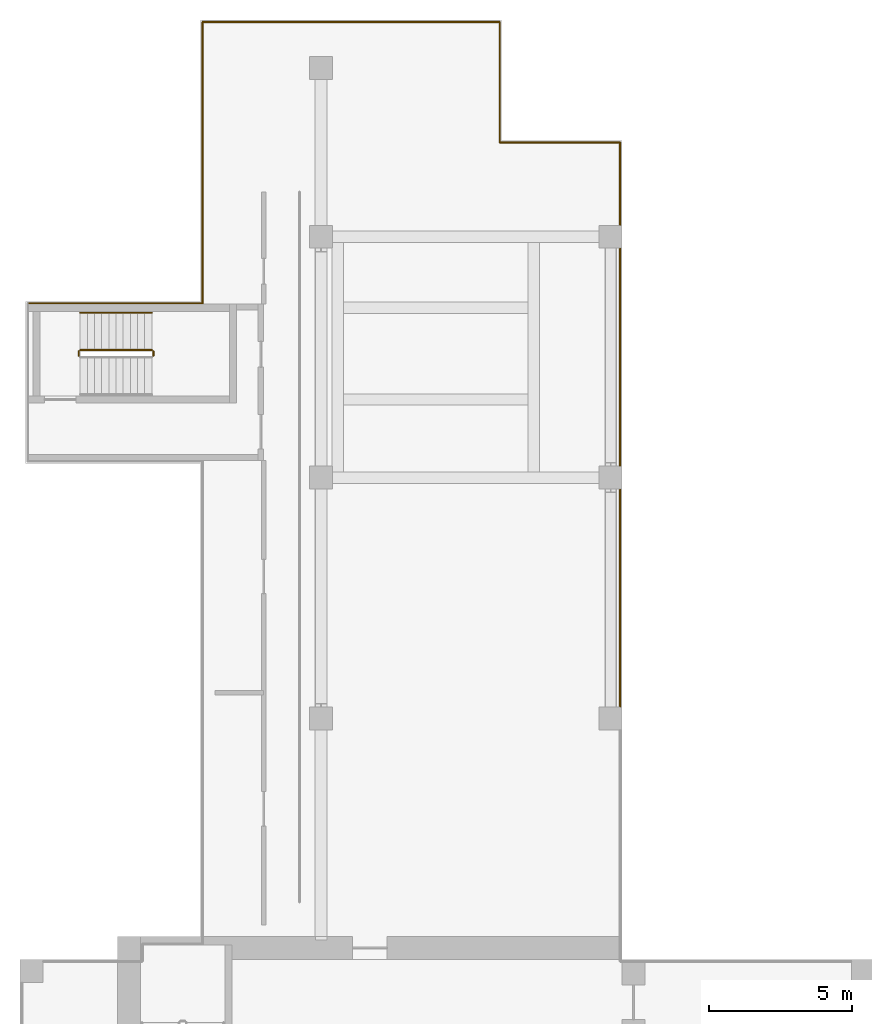
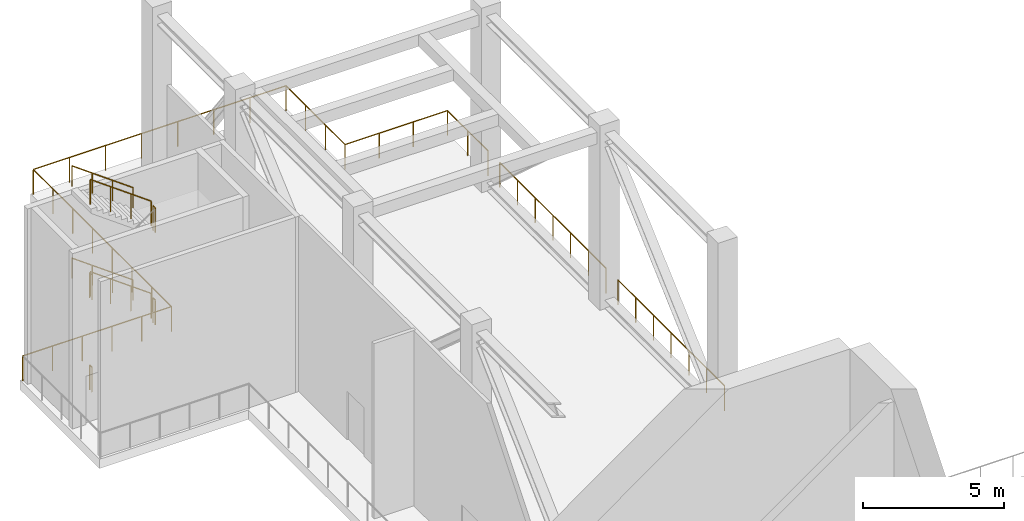
# One storey, part 9 of 9: 16 railings.
"""IFC4 building model written with IfcOpenShell, lengths in metres."""

import ifcopenshell
import ifcopenshell.guid

model = None  # the IFC model being written
_history = None  # IfcOwnerHistory: only IFC2X3 demands one
_inside = {}  # id of a spatial element -> (the spatial element, [elements in it])
_under = {}  # id of a project, library or spatial element -> (it, [spatial elements below it])
_declared = {}  # id of a project -> (the project, [libraries it declares])
_typed = {}  # id of a type object -> (the type object, [elements of that type])
_made_of = {}  # id of a material, layer set ... -> (it, [elements and type objects made of it])


def new_model(schema):
    """Start an empty IFC model of exactly this schema.

    Asked for "IFC4X3", IfcOpenShell would pick the latest addendum, in which some entities
    have other attributes; the version numbers below select the first issue.
    IFC2X3 requires an IfcOwnerHistory on every rooted entity: one is made here for all.
    """
    global model, _history
    if schema == "IFC4X3":
        model = ifcopenshell.file(schema_version=(4, 3, 0, 0))
    else:
        model = ifcopenshell.file(schema=schema)
    _inside.clear()
    _under.clear()
    _declared.clear()
    _typed.clear()
    _made_of.clear()
    _history = None
    if model.schema == "IFC2X3":
        org = make("IfcOrganization", Name="unknown")
        user = make(
            "IfcPersonAndOrganization",
            ThePerson=make("IfcPerson", FamilyName="unknown"),
            TheOrganization=org,
        )
        app = make(
            "IfcApplication",
            ApplicationDeveloper=org,
            Version="unknown",
            ApplicationFullName="unknown",
            ApplicationIdentifier="unknown",
        )
        _history = make(
            "IfcOwnerHistory",
            OwningUser=user,
            OwningApplication=app,
            ChangeAction="ADDED",
            CreationDate=0,
        )
    return model


def make(cls, **values):
    """One entity of the class cls with the attributes given. An attribute that is None is left unset."""
    return model.create_entity(
        cls, **{name: value for name, value in values.items() if value is not None}
    )


def rooted(cls, **values):
    """An entity with a GlobalId (a new one), such as an element, a storey or a relation."""
    return make(cls, GlobalId=ifcopenshell.guid.new(), OwnerHistory=_history, **values)


def si_unit(unit_type, name, prefix=None):
    """IfcSIUnit, for example si_unit("LENGTHUNIT", "METRE", prefix="MILLI")."""
    return make("IfcSIUnit", UnitType=unit_type, Prefix=prefix, Name=name)


def assignment(units):
    """IfcUnitAssignment: the units of a project."""
    return None if units is None else make("IfcUnitAssignment", Units=units)


def point(xyz):
    """IfcCartesianPoint."""
    return None if xyz is None else make("IfcCartesianPoint", Coordinates=xyz)


def direction(xyz):
    """IfcDirection."""
    return None if xyz is None else make("IfcDirection", DirectionRatios=xyz)


def frame(location, z_axis=None, x_axis=None):
    """IfcAxis2Placement3D, a coordinate frame: its origin and axes. An axis left out is left unset."""
    return make(
        "IfcAxis2Placement3D",
        Location=point(location),
        Axis=direction(z_axis),
        RefDirection=direction(x_axis),
    )


def frame_2d(location, x_axis=None):
    """IfcAxis2Placement2D, a coordinate frame in the plane: its origin and x axis."""
    return make(
        "IfcAxis2Placement2D", Location=point(location), RefDirection=direction(x_axis)
    )


def origin():
    """The frame at (0, 0, 0) with its axes left unset."""
    return frame((0.0, 0.0, 0.0))


def origin_2d():
    """The frame at (0, 0) in the plane with its x axis left unset."""
    return frame_2d((0.0, 0.0))


def place(relative_to, where):
    """IfcLocalPlacement: puts the frame where relative to a parent placement (None: the world)."""
    return make(
        "IfcLocalPlacement", PlacementRelTo=relative_to, RelativePlacement=where
    )


def context(
    kind, dimensions, precision=None, world=None, true_north=None, identifier=None
):
    """IfcGeometricRepresentationContext, for example the 3D "Model" context."""
    return make(
        "IfcGeometricRepresentationContext",
        ContextIdentifier=identifier,
        ContextType=kind,
        CoordinateSpaceDimension=dimensions,
        Precision=precision,
        WorldCoordinateSystem=world,
        TrueNorth=true_north,
    )


def subcontext(parent, identifier, kind, view, scale=None):
    """IfcGeometricRepresentationSubContext, for example "Body" below "Model"."""
    return make(
        "IfcGeometricRepresentationSubContext",
        ContextIdentifier=identifier,
        ContextType=kind,
        ParentContext=parent,
        TargetScale=scale,
        TargetView=view,
    )


def project(units=None, contexts=None):
    """IfcProject with its units and contexts."""
    return rooted(
        "IfcProject",
        Name="project",
        RepresentationContexts=contexts,
        UnitsInContext=assignment(units),
    )


def spatial(cls, under=None, at=None, **own):
    """A site, building, storey or space (cls), placed at a placement, below another one or the project."""
    s = rooted(cls, ObjectPlacement=at, **own)
    if under is not None:
        _under.setdefault(under.id(), (under, []))[1].append(s)
    return s


def profile(cls, at=None, kind="AREA", **sizes):
    """A parametric profile (cls). Its sizes go by their IFC names, for example OverallWidth=200.0."""
    return make(cls, ProfileType=kind, Position=at, **sizes)


def circle(**sizes):
    """IfcCircleProfileDef."""
    return profile("IfcCircleProfileDef", **sizes)


def extrude(swept, where, along, depth):
    """IfcExtrudedAreaSolid: the profile swept, set in the frame where, extruded along a direction by depth."""
    return make(
        "IfcExtrudedAreaSolid",
        SweptArea=swept,
        Position=where,
        ExtrudedDirection=direction(along),
        Depth=depth,
    )


def shape(context_of_items, identifier, shape_type, items):
    """IfcShapeRepresentation: the items that make up one representation, for example the "Body"."""
    return make(
        "IfcShapeRepresentation",
        ContextOfItems=context_of_items,
        RepresentationIdentifier=identifier,
        RepresentationType=shape_type,
        Items=items,
    )


def source(mapping_origin, context_of_items, identifier, shape_type, items):
    """IfcRepresentationMap: a shape defined once, which mapped items show again and again."""
    return make(
        "IfcRepresentationMap",
        MappingOrigin=mapping_origin,
        MappedRepresentation=shape(context_of_items, identifier, shape_type, items),
    )


def transform(
    local_origin,
    x_axis=None,
    y_axis=None,
    z_axis=None,
    scale=None,
    scale2=None,
    scale3=None,
    uniform=True,
):
    """IfcCartesianTransformationOperator3D, or its non-uniform kind. x_axis, y_axis, z_axis: its Axis1, 2, 3."""
    if uniform:
        return make(
            "IfcCartesianTransformationOperator3D",
            Axis1=direction(x_axis),
            Axis2=direction(y_axis),
            LocalOrigin=point(local_origin),
            Scale=scale,
            Axis3=direction(z_axis),
        )
    return make(
        "IfcCartesianTransformationOperator3DnonUniform",
        Axis1=direction(x_axis),
        Axis2=direction(y_axis),
        LocalOrigin=point(local_origin),
        Scale=scale,
        Axis3=direction(z_axis),
        Scale2=scale2,
        Scale3=scale3,
    )


def mapped(mapping_source, mapping_target):
    """IfcMappedItem: shows the shape of a source again, moved by a transform."""
    return make(
        "IfcMappedItem", MappingSource=mapping_source, MappingTarget=mapping_target
    )


def material(Name=None, Category=None):
    """IfcMaterial."""
    return make("IfcMaterial", Name=Name, Category=Category)


def made_of(thing, what):
    """Note that an element or type object is made of a material, layer set ...; save() writes the relation."""
    if what is not None:
        _made_of.setdefault(what.id(), (what, []))[1].append(thing)
    return thing


def type_object(cls, material=None, **own):
    """A type object (cls), such as IfcWallType, which elements share."""
    return made_of(rooted(cls, **own), material)


def element(
    cls,
    number,
    at=None,
    inside=None,
    cuts=None,
    type_object=None,
    material=None,
    context=None,
    identifier="Body",
    shape_type=None,
    held_by="IfcProductDefinitionShape",
    body=None,
    shapes=None,
    **own,
):
    """One element of the class cls, such as IfcWall. Its Tag is "e" and its number.

    at: its placement. inside: the storey or other place that contains it. cuts: it is an
    opening in that element (IfcRelVoidsElement). A single representation is given by context,
    identifier, shape_type and body (its items); several are given by shapes. held_by: the class
    of the entity that holds the representations. save() writes the other relations.
    """
    e = rooted(cls, Tag="e%d" % number, ObjectPlacement=at, **own)
    if body is not None:
        shapes = [shape(context, identifier, shape_type, body)]
    if shapes is not None:
        e.Representation = make(held_by, Representations=shapes)
    if inside is not None:
        _inside.setdefault(inside.id(), (inside, []))[1].append(e)
    if cuts is not None:
        rooted(
            "IfcRelVoidsElement", RelatingBuildingElement=cuts, RelatedOpeningElement=e
        )
    if type_object is not None:
        _typed.setdefault(type_object.id(), (type_object, []))[1].append(e)
    return made_of(e, material)


def aggregate(whole, parts):
    """IfcRelAggregates: a whole, such as a stair, and the parts it consists of."""
    return rooted("IfcRelAggregates", RelatingObject=whole, RelatedObjects=parts)


def save(model, path):
    """Write the relations noted so far, then the file.

    IfcRelAggregates (storeys below a building ...), IfcRelContainedInSpatialStructure (elements
    in a storey), IfcRelDefinesByType, IfcRelAssociatesMaterial and IfcRelDeclares: one each for
    every whole, place, type object, material and project.
    """
    for whole, parts in _under.values():
        aggregate(whole, parts)
    for where, things in _inside.values():
        rooted(
            "IfcRelContainedInSpatialStructure",
            RelatedElements=things,
            RelatingStructure=where,
        )
    for kind, things in _typed.values():
        rooted("IfcRelDefinesByType", RelatedObjects=things, RelatingType=kind)
    for what, things in _made_of.values():
        rooted("IfcRelAssociatesMaterial", RelatedObjects=things, RelatingMaterial=what)
    for by, libraries in _declared.values():
        rooted("IfcRelDeclares", RelatingContext=by, RelatedDefinitions=libraries)
    model.write(path)


model = new_model("IFC4")

# Units and contexts
model_context = context("Model", 3, precision=1e-05, world=origin(), true_north=direction((0.0, 1.0)))
body_context = subcontext(model_context, "Body", "Model", "MODEL_VIEW")
ifc_project = project(units=[si_unit("LENGTHUNIT", "METRE"), si_unit("AREAUNIT", "SQUARE_METRE"), si_unit("VOLUMEUNIT", "CUBIC_METRE"), si_unit("PLANEANGLEUNIT", "RADIAN"), si_unit("MASSUNIT", "GRAM", prefix="KILO")], contexts=[model_context])

# Site, building, storey
site_placement = place(None, origin())
site = spatial("IfcSite", under=ifc_project, at=site_placement, CompositionType="ELEMENT")
building_placement = place(site_placement, origin())
building = spatial("IfcBuilding", under=site, at=building_placement, Name="Aurelian Terraces", CompositionType="ELEMENT")
storey_placement = place(building_placement, frame((0.0, 0.0, 269.0)))
storey = spatial("IfcBuildingStorey", under=building, at=storey_placement, Name="L62", CompositionType="ELEMENT", Elevation=269.0)

# Railings
ifc_material_1 = material(Name="Anodised aluminium", Category="aluminium")
railing_type_1 = type_object("IfcRailingType", Name="GUARD-1100", PredefinedType="GUARDRAIL", material=ifc_material_1)
railing_1_placement = place(storey_placement, frame((20.93, 49.49, 0.0)))
element("IfcRailing", 1, at=railing_1_placement, inside=storey, type_object=railing_type_1, Name="Wind floor guard L62 24", PredefinedType="GUARDRAIL", context=body_context, shape_type="SweptSolid", body=[
    extrude(circle(Radius=0.024, at=origin_2d()), frame((0.0, 0.0, 1.076), z_axis=(0.0, -1.0, 0.0), x_axis=(1.0, 0.0, 0.0)), (0.0, 0.0, 1.0), 2.87),
    extrude(circle(Radius=0.021, at=origin_2d()), origin(), (0.0, 0.0, 1.0), 1.052),
    extrude(circle(Radius=0.021, at=origin_2d()), frame((0.0, -1.435, 0.0)), (0.0, 0.0, 1.0), 1.052),
    extrude(circle(Radius=0.021, at=origin_2d()), frame((0.0, -2.87, 0.0)), (0.0, 0.0, 1.0), 1.052),
])
railing_2_placement = place(storey_placement, frame((20.93, 45.78, 0.0)))
element("IfcRailing", 2, at=railing_2_placement, inside=storey, type_object=railing_type_1, Name="Wind floor guard L62 25", PredefinedType="GUARDRAIL", context=body_context, shape_type="SweptSolid", body=[
    extrude(circle(Radius=0.024, at=origin_2d()), frame((0.0, 0.0, 1.076), z_axis=(0.0, -1.0, 0.0), x_axis=(1.0, 0.0, 0.0)), (0.0, 0.0, 1.0), 7.56),
    extrude(circle(Radius=0.021, at=origin_2d()), origin(), (0.0, 0.0, 1.0), 1.052),
    extrude(circle(Radius=0.021, at=origin_2d()), frame((0.0, -1.26, 0.0)), (0.0, 0.0, 1.0), 1.052),
    extrude(circle(Radius=0.021, at=origin_2d()), frame((0.0, -2.52, 0.0)), (0.0, 0.0, 1.0), 1.052),
    extrude(circle(Radius=0.021, at=origin_2d()), frame((0.0, -3.78, 0.0)), (0.0, 0.0, 1.0), 1.052),
    extrude(circle(Radius=0.021, at=origin_2d()), frame((0.0, -5.04, 0.0)), (0.0, 0.0, 1.0), 1.052),
    extrude(circle(Radius=0.021, at=origin_2d()), frame((0.0, -6.3, 0.0)), (0.0, 0.0, 1.0), 1.052),
    extrude(circle(Radius=0.021, at=origin_2d()), frame((0.0, -7.56, 0.0)), (0.0, 0.0, 1.0), 1.052),
])
shared_shape_1 = source(origin(), body_context, "Body", "SweptSolid", [
    extrude(circle(Radius=0.024, at=origin_2d()), frame((0.0, 0.0, 1.076), z_axis=(0.0, -1.0, 0.0), x_axis=(1.0, 0.0, 0.0)), (0.0, 0.0, 1.0), 4.2),
    extrude(circle(Radius=0.021, at=origin_2d()), origin(), (0.0, 0.0, 1.0), 1.052),
    extrude(circle(Radius=0.021, at=origin_2d()), frame((0.0, -1.4, 0.0)), (0.0, 0.0, 1.0), 1.052),
    extrude(circle(Radius=0.021, at=origin_2d()), frame((0.0, -2.8, 0.0)), (0.0, 0.0, 1.0), 1.052),
    extrude(circle(Radius=0.021, at=origin_2d()), frame((0.0, -4.2, 0.0)), (0.0, 0.0, 1.0), 1.052),
])
railing_3_placement = place(storey_placement, frame((16.73, 53.69, 0.0)))
element("IfcRailing", 3, at=railing_3_placement, inside=storey, type_object=railing_type_1, Name="Wind floor guard L62 22", PredefinedType="GUARDRAIL", context=body_context, shape_type="MappedRepresentation", body=[
    mapped(shared_shape_1, transform((0.0, 0.0, 0.0), scale=1.0)),
])
shared_shape_2 = source(origin(), body_context, "Body", "SweptSolid", [
    extrude(circle(Radius=0.024, at=origin_2d()), frame((0.0, 0.0, 1.076), z_axis=(1.0, 0.0, 0.0), x_axis=(0.0, 1.0, 0.0)), (0.0, 0.0, 1.0), 4.2),
    extrude(circle(Radius=0.021, at=origin_2d()), origin(), (0.0, 0.0, 1.0), 1.052),
    extrude(circle(Radius=0.021, at=origin_2d()), frame((1.4, 0.0, 0.0)), (0.0, 0.0, 1.0), 1.052),
    extrude(circle(Radius=0.021, at=origin_2d()), frame((2.8, 0.0, 0.0)), (0.0, 0.0, 1.0), 1.052),
    extrude(circle(Radius=0.021, at=origin_2d()), frame((4.2, 0.0, 0.0)), (0.0, 0.0, 1.0), 1.052),
])
railing_4_placement = place(storey_placement, frame((16.73, 49.49, 0.0)))
element("IfcRailing", 4, at=railing_4_placement, inside=storey, type_object=railing_type_1, Name="Wind floor guard L62 23", PredefinedType="GUARDRAIL", context=body_context, shape_type="MappedRepresentation", body=[
    mapped(shared_shape_2, transform((0.0, 0.0, 0.0), scale=1.0)),
])
shared_shape_3 = source(origin(), body_context, "Body", "SweptSolid", [
    extrude(circle(Radius=0.024, at=origin_2d()), frame((0.0, 0.0, 1.076), z_axis=(1.0, 0.0, 0.0), x_axis=(0.0, 1.0, 0.0)), (0.0, 0.0, 1.0), 6.1),
    extrude(circle(Radius=0.021, at=origin_2d()), origin(), (0.0, 0.0, 1.0), 1.052),
    extrude(circle(Radius=0.021, at=origin_2d()), frame((1.22, 0.0, 0.0)), (0.0, 0.0, 1.0), 1.052),
    extrude(circle(Radius=0.021, at=origin_2d()), frame((2.44, 0.0, 0.0)), (0.0, 0.0, 1.0), 1.052),
    extrude(circle(Radius=0.021, at=origin_2d()), frame((3.66, 0.0, 0.0)), (0.0, 0.0, 1.0), 1.052),
    extrude(circle(Radius=0.021, at=origin_2d()), frame((4.88, 0.0, 0.0)), (0.0, 0.0, 1.0), 1.052),
    extrude(circle(Radius=0.021, at=origin_2d()), frame((6.1, 0.0, 0.0)), (0.0, 0.0, 1.0), 1.052),
])
railing_5_placement = place(storey_placement, frame((0.27, 43.88, 0.0)))
element("IfcRailing", 5, at=railing_5_placement, inside=storey, type_object=railing_type_1, Name="Wind floor guard L62 19", PredefinedType="GUARDRAIL", context=body_context, shape_type="MappedRepresentation", body=[
    mapped(shared_shape_3, transform((0.0, 0.0, 0.0), scale=1.0)),
])
shared_shape_4 = source(origin(), body_context, "Body", "SweptSolid", [
    extrude(circle(Radius=0.024, at=origin_2d()), frame((0.0, 0.0, 1.076), z_axis=(0.0, 1.0, 0.0), x_axis=(-1.0, 0.0, 0.0)), (0.0, 0.0, 1.0), 9.81),
    extrude(circle(Radius=0.021, at=origin_2d()), origin(), (0.0, 0.0, 1.0), 1.052),
    extrude(circle(Radius=0.021, at=origin_2d()), frame((0.0, 1.4014, 0.0)), (0.0, 0.0, 1.0), 1.052),
    extrude(circle(Radius=0.021, at=origin_2d()), frame((0.0, 2.8029, 0.0)), (0.0, 0.0, 1.0), 1.052),
    extrude(circle(Radius=0.021, at=origin_2d()), frame((0.0, 4.2043, 0.0)), (0.0, 0.0, 1.0), 1.052),
    extrude(circle(Radius=0.021, at=origin_2d()), frame((0.0, 5.6057, 0.0)), (0.0, 0.0, 1.0), 1.052),
    extrude(circle(Radius=0.021, at=origin_2d()), frame((0.0, 7.0071, 0.0)), (0.0, 0.0, 1.0), 1.052),
    extrude(circle(Radius=0.021, at=origin_2d()), frame((0.0, 8.4086, 0.0)), (0.0, 0.0, 1.0), 1.052),
    extrude(circle(Radius=0.021, at=origin_2d()), frame((0.0, 9.81, 0.0)), (0.0, 0.0, 1.0), 1.052),
])
railing_6_placement = place(storey_placement, frame((6.37, 43.88, 0.0)))
element("IfcRailing", 6, at=railing_6_placement, inside=storey, type_object=railing_type_1, Name="Wind floor guard L62 20", PredefinedType="GUARDRAIL", context=body_context, shape_type="MappedRepresentation", body=[
    mapped(shared_shape_4, transform((0.0, 0.0, 0.0), scale=1.0)),
])
shared_shape_5 = source(origin(), body_context, "Body", "SweptSolid", [
    extrude(circle(Radius=0.024, at=origin_2d()), frame((0.0, 0.0, 1.076), z_axis=(1.0, 0.0, 0.0), x_axis=(0.0, 1.0, 0.0)), (0.0, 0.0, 1.0), 10.36),
    extrude(circle(Radius=0.021, at=origin_2d()), origin(), (0.0, 0.0, 1.0), 1.052),
    extrude(circle(Radius=0.021, at=origin_2d()), frame((1.48, 0.0, 0.0)), (0.0, 0.0, 1.0), 1.052),
    extrude(circle(Radius=0.021, at=origin_2d()), frame((2.96, 0.0, 0.0)), (0.0, 0.0, 1.0), 1.052),
    extrude(circle(Radius=0.021, at=origin_2d()), frame((4.44, 0.0, 0.0)), (0.0, 0.0, 1.0), 1.052),
    extrude(circle(Radius=0.021, at=origin_2d()), frame((5.92, 0.0, 0.0)), (0.0, 0.0, 1.0), 1.052),
    extrude(circle(Radius=0.021, at=origin_2d()), frame((7.4, 0.0, 0.0)), (0.0, 0.0, 1.0), 1.052),
    extrude(circle(Radius=0.021, at=origin_2d()), frame((8.88, 0.0, 0.0)), (0.0, 0.0, 1.0), 1.052),
    extrude(circle(Radius=0.021, at=origin_2d()), frame((10.36, 0.0, 0.0)), (0.0, 0.0, 1.0), 1.052),
])
railing_7_placement = place(storey_placement, frame((6.37, 53.69, 0.0)))
element("IfcRailing", 7, at=railing_7_placement, inside=storey, type_object=railing_type_1, Name="Wind floor guard L62 21", PredefinedType="GUARDRAIL", context=body_context, shape_type="MappedRepresentation", body=[
    mapped(shared_shape_5, transform((0.0, 0.0, 0.0), scale=1.0)),
])
shared_shape_6 = source(origin(), body_context, "Body", "SweptSolid", [
    extrude(circle(Radius=0.024, at=origin_2d()), frame((0.0, 0.0, 1.076), z_axis=(0.0, -1.0, 0.0), x_axis=(1.0, 0.0, 0.0)), (0.0, 0.0, 1.0), 7.56),
    extrude(circle(Radius=0.021, at=origin_2d()), origin(), (0.0, 0.0, 1.0), 1.052),
    extrude(circle(Radius=0.021, at=origin_2d()), frame((0.0, -1.26, 0.0)), (0.0, 0.0, 1.0), 1.052),
    extrude(circle(Radius=0.021, at=origin_2d()), frame((0.0, -2.52, 0.0)), (0.0, 0.0, 1.0), 1.052),
    extrude(circle(Radius=0.021, at=origin_2d()), frame((0.0, -3.78, 0.0)), (0.0, 0.0, 1.0), 1.052),
    extrude(circle(Radius=0.021, at=origin_2d()), frame((0.0, -5.04, 0.0)), (0.0, 0.0, 1.0), 1.052),
    extrude(circle(Radius=0.021, at=origin_2d()), frame((0.0, -6.3, 0.0)), (0.0, 0.0, 1.0), 1.052),
    extrude(circle(Radius=0.021, at=origin_2d()), frame((0.0, -7.56, 0.0)), (0.0, 0.0, 1.0), 1.052),
])
railing_8_placement = place(storey_placement, frame((20.93, 37.38, 0.0)))
element("IfcRailing", 8, at=railing_8_placement, inside=storey, type_object=railing_type_1, Name="Wind floor guard L62 26", PredefinedType="GUARDRAIL", context=body_context, shape_type="MappedRepresentation", body=[
    mapped(shared_shape_6, transform((0.0, 0.0, 0.0), scale=1.0)),
])
ifc_material_2 = material(Name="Stainless steel", Category="steel")
railing_type_2 = type_object("IfcRailingType", Name="Stair guard 1100", PredefinedType="GUARDRAIL", material=ifc_material_2)
shared_shape_7 = source(origin(), body_context, "Body", "SweptSolid", [
    extrude(circle(Radius=0.024, at=origin_2d()), frame((0.0, 0.0, 1.076), z_axis=(0.0, 1.0, 0.0), x_axis=(-1.0, 0.0, 0.0)), (0.0, 0.0, 1.0), 0.15),
    extrude(circle(Radius=0.021, at=origin_2d()), origin(), (0.0, 0.0, 1.0), 1.052),
    extrude(circle(Radius=0.021, at=origin_2d()), frame((0.0, 0.15, 0.0)), (0.0, 0.0, 1.0), 1.052),
])
for number, where, name in (
    (9, (4.65, 42.05, 2.0), "L62 S3 stair guard 2"),
    (10, (2.05, 42.05, 4.0), "L62 S3 stair guard 4"),
    (11, (4.65, 42.05, 6.0), "L62 S3 stair guard 6"),
    (12, (2.05, 42.05, 0.0), "L62 S3 stair guard 8"),
):
    element("IfcRailing", number, at=place(storey_placement, frame(where)), inside=storey, type_object=railing_type_2, Name=name, PredefinedType="GUARDRAIL", context=body_context, shape_type="MappedRepresentation", body=[
        mapped(shared_shape_7, transform((0.0, 0.0, 0.0), scale=1.0)),
    ])
shared_shape_8 = source(origin(), body_context, "Body", "SweptSolid", [
    extrude(circle(Radius=0.024, at=origin_2d()), frame((0.0, 0.0, 1.076), z_axis=(-0.808733286514, 0.0, 0.588175544616), x_axis=(0.0, -1.0, 0.0)), (0.0, 0.0, 1.0), 3.0913),
    extrude(circle(Radius=0.021, at=origin_2d()), origin(), (0.0, 0.0, 1.0), 1.052),
    extrude(circle(Radius=0.021, at=origin_2d()), frame((-0.8333, 0.0, 0.6061)), (0.0, 0.0, 1.0), 1.052),
    extrude(circle(Radius=0.021, at=origin_2d()), frame((-1.6667, 0.0, 1.2121)), (0.0, 0.0, 1.0), 1.052),
    extrude(circle(Radius=0.021, at=origin_2d()), frame((-2.5, 0.0, 1.8182)), (0.0, 0.0, 1.0), 1.052),
])
for number, where, name in (
    (13, (4.6, 42.25, 2.1818), "L62 S3 stair guard 3"),
    (14, (4.6, 42.25, 6.1818), "L62 S3 stair guard 7"),
):
    element("IfcRailing", number, at=place(storey_placement, frame(where)), inside=storey, type_object=railing_type_2, Name=name, PredefinedType="GUARDRAIL", context=body_context, shape_type="MappedRepresentation", body=[
        mapped(shared_shape_8, transform((0.0, 0.0, 0.0), scale=1.0)),
    ])
railing_type_3 = type_object("IfcRailingType", Name="Stair handrail", PredefinedType="HANDRAIL", material=ifc_material_2)
shared_shape_9 = source(origin(), body_context, "Body", "SweptSolid", [
    extrude(circle(Radius=0.024, at=origin_2d()), frame((0.0, 0.0, 0.876), z_axis=(-0.808733286514, 0.0, 0.588175544616), x_axis=(0.0, -1.0, 0.0)), (0.0, 0.0, 1.0), 3.0913),
    extrude(circle(Radius=0.021, at=origin_2d()), origin(), (0.0, 0.0, 1.0), 0.852),
    extrude(circle(Radius=0.021, at=origin_2d()), frame((-0.8333, 0.0, 0.6061)), (0.0, 0.0, 1.0), 0.852),
    extrude(circle(Radius=0.021, at=origin_2d()), frame((-1.6667, 0.0, 1.2121)), (0.0, 0.0, 1.0), 0.852),
    extrude(circle(Radius=0.021, at=origin_2d()), frame((-2.5, 0.0, 1.8182)), (0.0, 0.0, 1.0), 0.852),
])
for number, where, name in (
    (15, (4.6, 43.55, 2.1818), "L62 S3 stair handrail 2"),
    (16, (4.6, 43.55, 6.1818), "L62 S3 stair handrail 4"),
):
    element("IfcRailing", number, at=place(storey_placement, frame(where)), inside=storey, type_object=railing_type_3, Name=name, PredefinedType="HANDRAIL", context=body_context, shape_type="MappedRepresentation", body=[
        mapped(shared_shape_9, transform((0.0, 0.0, 0.0), scale=1.0)),
    ])

save(model, "model.ifc")
